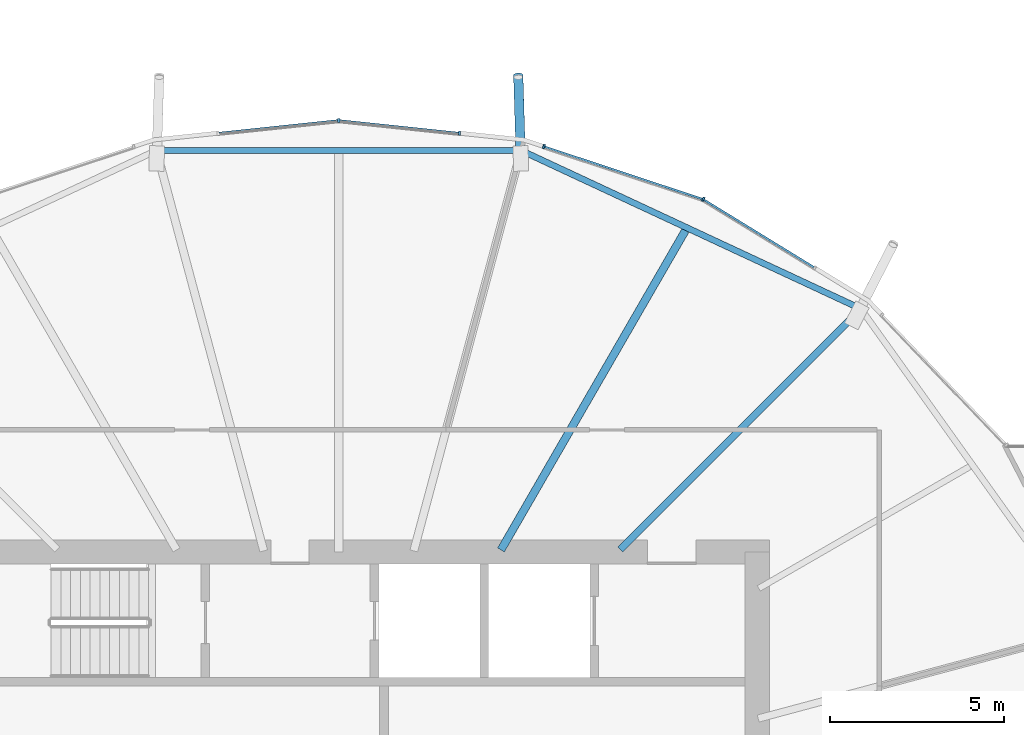
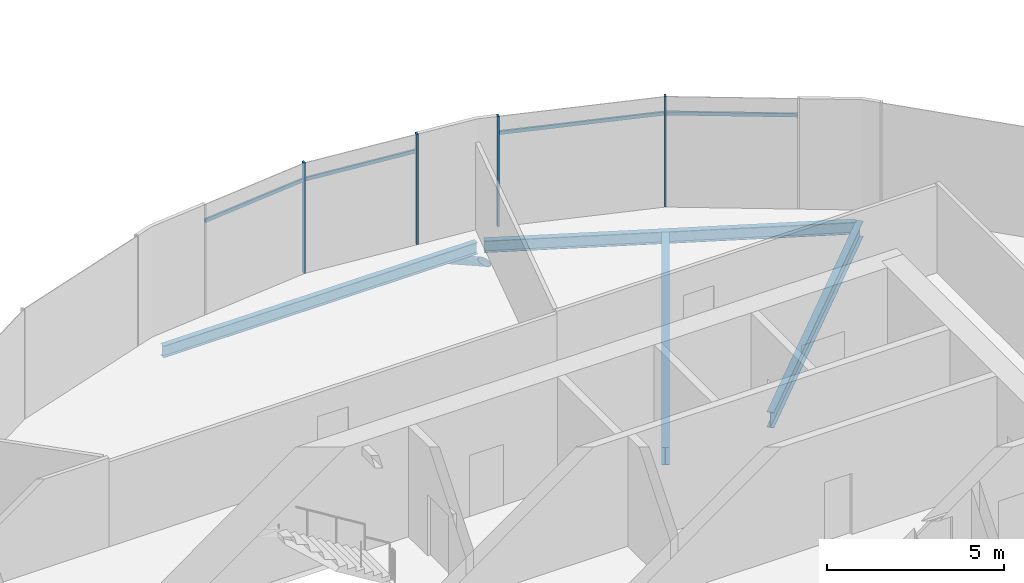
# One storey, part 10 of 40: 9 members, 4 beams, 1 element without a shape of its own.
"""IFC4 building model written with IfcOpenShell, lengths in metres."""

from ifc_helpers import new_model, si_unit, direction, frame, origin, origin_2d, place, context, subcontext, project, spatial, rectangle, hollow_circle, i_section, extrude, clip, halfspace, material, material_profile, profile_set, type_object, element, aggregate, save


model = new_model("IFC4")

# Units and contexts
model_context = context("Model", 3, precision=1e-05, world=origin(), true_north=direction((0.0, 1.0)))
body_context = subcontext(model_context, "Body", "Model", "MODEL_VIEW")
ifc_project = project(units=[si_unit("LENGTHUNIT", "METRE"), si_unit("AREAUNIT", "SQUARE_METRE"), si_unit("VOLUMEUNIT", "CUBIC_METRE"), si_unit("PLANEANGLEUNIT", "RADIAN"), si_unit("MASSUNIT", "GRAM", prefix="KILO")], contexts=[model_context])

# Site, building, storey
site_placement = place(None, origin())
site = spatial("IfcSite", under=ifc_project, at=site_placement, CompositionType="ELEMENT")
building_placement = place(site_placement, origin())
building = spatial("IfcBuilding", under=site, at=building_placement, Name="Rimbun Link Towers", CompositionType="ELEMENT")
storey_placement = place(building_placement, frame((0.0, 0.0, 150.60009765625)))
storey = spatial("IfcBuildingStorey", under=building, at=storey_placement, Name="L36", CompositionType="ELEMENT", Elevation=150.60009765625)

# Curtain wall, members
ifc_material_1 = material(Name="Aluminium 6063-T6 and low-iron glass", Category="aluminium")
curtain_wall_type = type_object("IfcCurtainWallType", Name="CW4 link block wall", PredefinedType="NOTDEFINED", material=ifc_material_1)
curtain_wall_placement = place(storey_placement, origin())
curtain_wall = element("IfcCurtainWall", 1, at=curtain_wall_placement, inside=storey, type_object=curtain_wall_type, Name="CW4 L36 T1", PredefinedType="NOTDEFINED")
ifc_material_2 = material(Name="Aluminium 6063-T6", Category="aluminium")
ifc_material_profile_1 = material_profile(ifc_material_2, rectangle(XDim=0.1201171875, YDim=0.06005859375, at=origin_2d()), Name="MULLION 60X120")
ifc_profile_set_1 = profile_set([ifc_material_profile_1], Name="Aluminium 6063-T6")
member_type_1 = type_object("IfcMemberType", Name="CW4 mullion 60X120", PredefinedType="MULLION", material=ifc_profile_set_1)
member_1_placement = place(storey_placement, frame((-21.29931640625, 18.11181640625, 0.0), z_axis=(0.0, 0.0, 1.0), x_axis=(0.421697332152, 0.906736654192, 0.0)))
member_1 = element("IfcMember", 2, at=member_1_placement, type_object=member_type_1, Name="CW4 mullion", PredefinedType="MULLION", context=body_context, shape_type="SweptSolid", body=[
    extrude(rectangle(XDim=0.1201171875, YDim=0.06005859375, at=origin_2d()), origin(), (0.0, 0.0, 1.0), 3.7998046875),
])
member_2_placement = place(storey_placement, frame((-25.867431640625, 19.626220703125, 0.0), z_axis=(0.0, 0.0, 1.0), x_axis=(0.314567961741, 0.949234953763, 0.0)))
member_2 = element("IfcMember", 3, at=member_2_placement, type_object=member_type_1, Name="CW4 mullion", PredefinedType="MULLION", context=body_context, shape_type="SweptSolid", body=[
    extrude(rectangle(XDim=0.1201171875, YDim=0.06005859375, at=origin_2d()), origin(), (0.0, 0.0, 1.0), 3.7998046875),
])
member_3_placement = place(storey_placement, frame((-31.75, 20.37548828125, 0.0), z_axis=(0.0, 0.0, 1.0), x_axis=(0.0, 1.0, 0.0)))
member_3 = element("IfcMember", 4, at=member_3_placement, type_object=member_type_1, Name="CW4 mullion", PredefinedType="MULLION", context=body_context, shape_type="SweptSolid", body=[
    extrude(rectangle(XDim=0.1201171875, YDim=0.06005859375, at=origin_2d()), origin(), (0.0, 0.0, 1.0), 3.7998046875),
])
member_4_placement = place(storey_placement, frame((-28.28955078125, 20.011474609375, 0.0), z_axis=(0.0, 0.0, 1.0), x_axis=(0.104745411125, 0.994499069305, 0.0)))
member_4 = element("IfcMember", 5, at=member_4_placement, type_object=member_type_1, Name="CW4 mullion", PredefinedType="MULLION", context=body_context, shape_type="SweptSolid", body=[
    extrude(rectangle(XDim=0.1201171875, YDim=0.06005859375, at=origin_2d()), origin(), (0.0, 0.0, 1.0), 3.7998046875),
])
ifc_material_3 = material(Name="Aluminium 6063-T6", Category="aluminium")
ifc_material_profile_2 = material_profile(ifc_material_3, rectangle(XDim=0.06005859375, YDim=0.1201171875, at=origin_2d()), Name="TRANSOM 60X120")
ifc_profile_set_2 = profile_set([ifc_material_profile_2], Name="Aluminium 6063-T6")
member_type_2 = type_object("IfcMemberType", Name="CW4 transom 60X120", PredefinedType="USERDEFINED", material=ifc_profile_set_2)
member_5_placement = place(storey_placement, frame((-21.2685546875, 18.09130859375, 3.199951171875), z_axis=(0.85218054514, -0.523247855691, 0.0), x_axis=(0.523247855691, 0.85218054514, 0.0)))
member_5 = element("IfcMember", 6, at=member_5_placement, type_object=member_type_2, Name="CW4 transom", ObjectType="TRANSOM", PredefinedType="USERDEFINED", context=body_context, shape_type="SweptSolid", body=[
    extrude(rectangle(XDim=0.06005859375, YDim=0.1201171875, at=origin_2d()), origin(), (0.0, 0.0, 1.0), 3.688720703125),
])
member_6_placement = place(storey_placement, frame((-25.839599609375, 19.614990234375, 3.199951171875), z_axis=(0.949232304469, -0.314575956093, 0.0), x_axis=(0.314575956093, 0.949232304469, 0.0)))
member_6 = element("IfcMember", 7, at=member_6_placement, type_object=member_type_2, Name="CW4 transom", ObjectType="TRANSOM", PredefinedType="USERDEFINED", context=body_context, shape_type="SweptSolid", body=[
    extrude(rectangle(XDim=0.06005859375, YDim=0.1201171875, at=origin_2d()), origin(), (0.0, 0.0, 1.0), 4.745849609375),
])
member_7_placement = place(storey_placement, frame((-31.714111328125, 20.3701171875, 3.199951171875), z_axis=(0.994502317074, -0.104714570785, 0.0), x_axis=(0.104714570785, 0.994502317074, 0.0)))
member_7 = element("IfcMember", 8, at=member_7_placement, type_object=member_type_2, Name="CW4 transom", ObjectType="TRANSOM", PredefinedType="USERDEFINED", context=body_context, shape_type="SweptSolid", body=[
    extrude(rectangle(XDim=0.06005859375, YDim=0.1201171875, at=origin_2d()), origin(), (0.0, 0.0, 1.0), 3.413330078125),
])
member_8_placement = place(storey_placement, frame((-35.180419921875, 20.0126953125, 3.199951171875), z_axis=(0.994502317074, 0.104714570785, 0.0), x_axis=(-0.104714570785, 0.994502317074, 0.0)))
member_8 = element("IfcMember", 9, at=member_8_placement, type_object=member_type_2, Name="CW4 transom", ObjectType="TRANSOM", PredefinedType="USERDEFINED", context=body_context, shape_type="SweptSolid", body=[
    extrude(rectangle(XDim=0.06005859375, YDim=0.1201171875, at=origin_2d()), origin(), (0.0, 0.0, 1.0), 3.413330078125),
])
aggregate(curtain_wall, [member_1, member_2, member_3, member_4, member_5, member_6, member_7, member_8])

# Member
ifc_material_4 = material(Name="Steel S355J2H", Category="steel")
ifc_material_profile_3 = material_profile(ifc_material_4, hollow_circle(Radius=0.136474609375, WallThickness=0.012451171875, at=origin_2d()), Name="CHS 273x12.5")
ifc_profile_set_3 = profile_set([ifc_material_profile_3], Name="Steel S355J2H")
member_type_3 = type_object("IfcMemberType", Name="Floor edge link CHS 273x12.5", PredefinedType="BRACE", material=ifc_profile_set_3)
member_9_placement = place(storey_placement, frame((-26.5341796875, 19.465087890625, -0.90185546875), z_axis=(-0.026885981574, 0.876075341842, -0.4814240744), x_axis=(-0.999529421322, -0.030674678673, 0.0)))
element("IfcMember", 10, at=member_9_placement, inside=storey, type_object=member_type_3, Name="Floor edge link T1 L36 05", PredefinedType="BRACE", context=body_context, shape_type="Clipping", body=[
    clip(extrude(hollow_circle(Radius=0.136474609375, WallThickness=0.012451171875, at=origin_2d()), frame((0.0, 0.0, -0.517822265625)), (0.0, 0.0, 1.0), 3.033203125), halfspace(frame((0.0, 0.0, -0.243408203125), z_axis=(0.0, 0.876487798311, -0.4814240744)), False)),
])

# Beams
ifc_material_5 = material(Name="Steel S355J2", Category="steel")
ifc_material_profile_4 = material_profile(ifc_material_5, i_section(OverallWidth=0.177978515625, OverallDepth=0.406494140625, WebThickness=0.0078125, FlangeThickness=0.0126953125, at=origin_2d()), Name="UB 406x178x60")
ifc_profile_set_4 = profile_set([ifc_material_profile_4], Name="Steel S355J2")
beam_type_1 = type_object("IfcBeamType", Name="UB 406x178x60", PredefinedType="BEAM", material=ifc_profile_set_4)
beam_1_placement = place(storey_placement, frame((-16.87939453125, 15.02001953125, -0.38330078125), z_axis=(-0.906400585734, 0.422419197222, 0.0), x_axis=(-0.422419197222, -0.906400585734, 0.0)))
element("IfcBeam", 11, at=beam_1_placement, inside=storey, type_object=beam_type_1, Name="Edge beam T1 L36 03-05", PredefinedType="BEAM", context=body_context, shape_type="SweptSolid", body=[
    extrude(i_section(OverallWidth=0.177978515625, OverallDepth=0.406494140625, WebThickness=0.0078125, FlangeThickness=0.0126953125, at=origin_2d()), origin(), (0.0, 0.0, 1.0), 10.521240234375),
])
beam_2_placement = place(storey_placement, frame((-26.64013671875, 19.513427734375, -0.38330078125), z_axis=(-1.0, 0.0, 0.0), x_axis=(0.0, -1.0, 0.0)))
element("IfcBeam", 12, at=beam_2_placement, inside=storey, type_object=beam_type_1, Name="Edge beam T1 L36 05-07", PredefinedType="BEAM", context=body_context, shape_type="SweptSolid", body=[
    extrude(i_section(OverallWidth=0.177978515625, OverallDepth=0.406494140625, WebThickness=0.0078125, FlangeThickness=0.0126953125, at=origin_2d()), origin(), (0.0, 0.0, 1.0), 10.2197265625),
])
ifc_material_6 = material(Name="Steel S355J2", Category="steel")
ifc_material_profile_5 = material_profile(ifc_material_6, i_section(OverallWidth=0.209228515625, OverallDepth=0.533203125, WebThickness=0.010009765625, FlangeThickness=0.015625, at=origin_2d()), Name="UB 533x210x92")
ifc_profile_set_5 = profile_set([ifc_material_profile_5], Name="Steel S355J2")
beam_type_2 = type_object("IfcBeamType", Name="UB 533x210x92", PredefinedType="BEAM", material=ifc_profile_set_5)
beam_3_placement = place(storey_placement, frame((-23.67529296875, 8.07470703125, -0.44677734375), z_axis=(0.707106781187, 0.707106781187, 0.0), x_axis=(-0.707106781187, 0.707106781187, 0.0)))
element("IfcBeam", 13, at=beam_3_placement, inside=storey, type_object=beam_type_2, Name="Radial beam T1 L36 03", PredefinedType="BEAM", context=body_context, shape_type="SweptSolid", body=[
    extrude(i_section(OverallWidth=0.209228515625, OverallDepth=0.533203125, WebThickness=0.010009765625, FlangeThickness=0.015625, at=origin_2d()), origin(), (0.0, 0.0, 1.0), 9.7548828125),
])
ifc_material_7 = material(Name="Steel S355J2", Category="steel")
ifc_material_profile_6 = material_profile(ifc_material_7, i_section(OverallWidth=0.2275390625, OverallDepth=0.6025390625, WebThickness=0.010498046875, FlangeThickness=0.014892578125, at=origin_2d()), Name="UB 610x229x101")
ifc_profile_set_6 = profile_set([ifc_material_profile_6], Name="Steel S355J2")
beam_type_3 = type_object("IfcBeamType", Name="UB 610x229x101", PredefinedType="BEAM", material=ifc_profile_set_6)
beam_4_placement = place(storey_placement, frame((-27.097900390625, 8.057861328125, -0.4814453125), z_axis=(0.500014158692, 0.866017229106, 0.0), x_axis=(-0.866017229106, 0.500014158692, 0.0)))
element("IfcBeam", 14, at=beam_4_placement, inside=storey, type_object=beam_type_3, Name="Radial beam T1 L36 04", PredefinedType="BEAM", context=body_context, shape_type="SweptSolid", body=[
    extrude(i_section(OverallWidth=0.2275390625, OverallDepth=0.6025390625, WebThickness=0.010498046875, FlangeThickness=0.014892578125, at=origin_2d()), origin(), (0.0, 0.0, 1.0), 10.577392578125),
])

save(model, "model.ifc")
